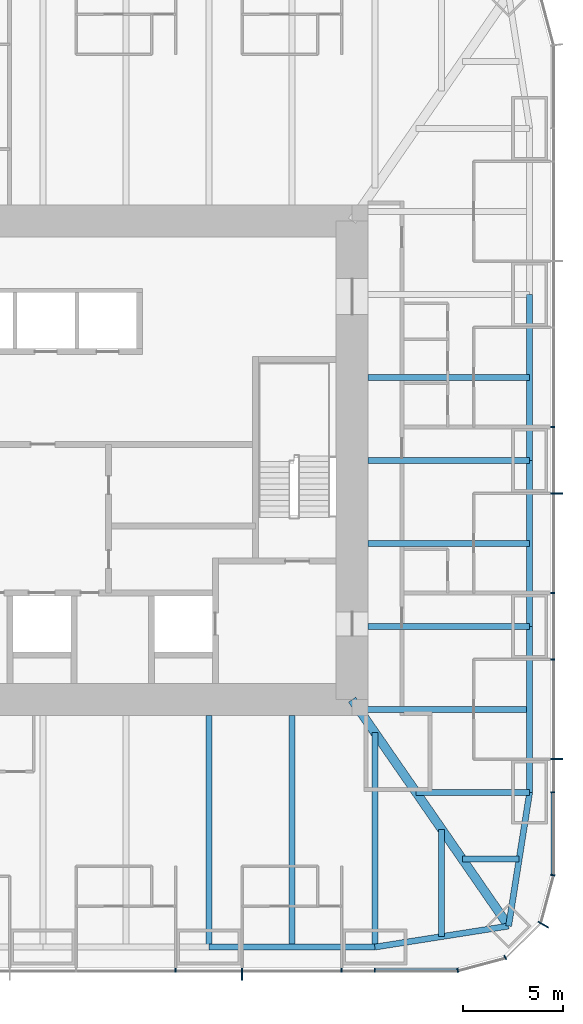
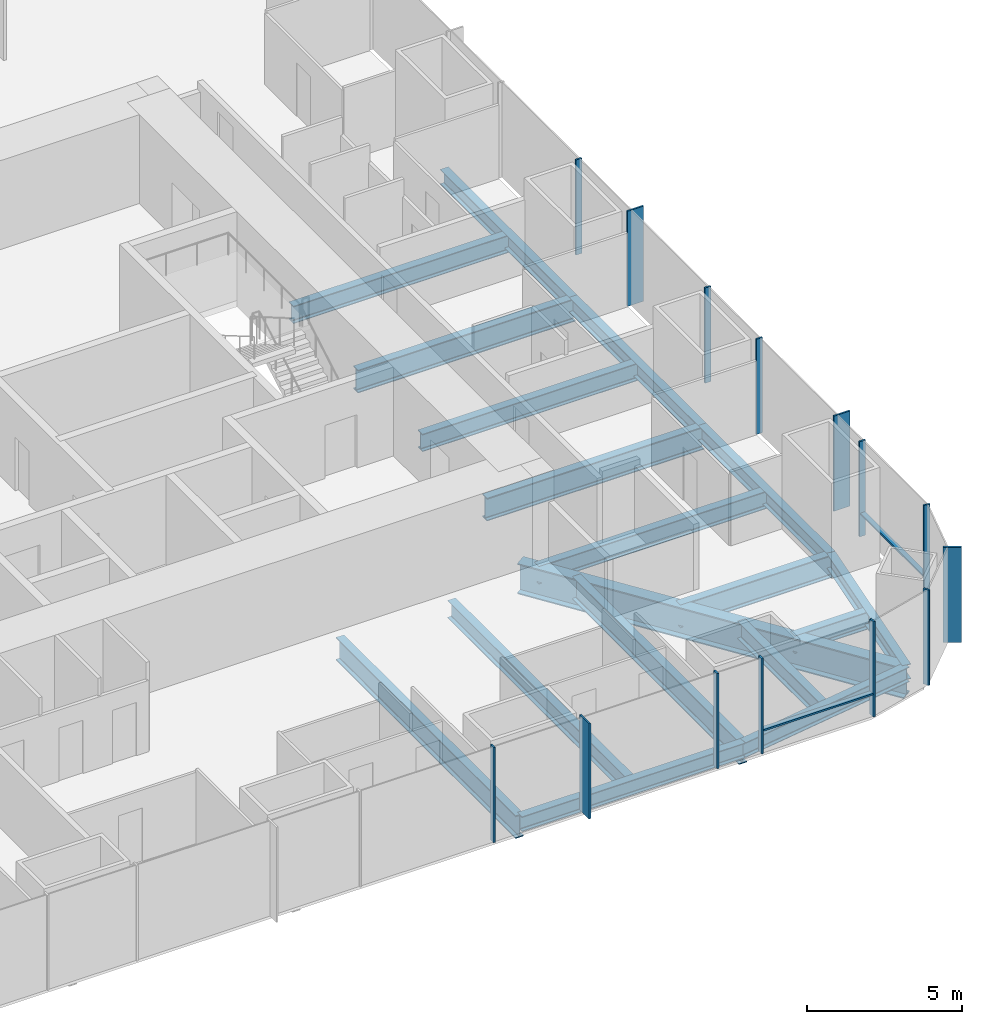
# One storey, part 4 of 13: 18 beams, 16 members, 3 elements without a shape of their own.
"""IFC4 building model written with IfcOpenShell, lengths in metres."""

import ifcopenshell
import ifcopenshell.guid

model = None  # the IFC model being written
_history = None  # IfcOwnerHistory: only IFC2X3 demands one
_inside = {}  # id of a spatial element -> (the spatial element, [elements in it])
_under = {}  # id of a project, library or spatial element -> (it, [spatial elements below it])
_declared = {}  # id of a project -> (the project, [libraries it declares])
_typed = {}  # id of a type object -> (the type object, [elements of that type])
_made_of = {}  # id of a material, layer set ... -> (it, [elements and type objects made of it])


def new_model(schema):
    """Start an empty IFC model of exactly this schema.

    Asked for "IFC4X3", IfcOpenShell would pick the latest addendum, in which some entities
    have other attributes; the version numbers below select the first issue.
    IFC2X3 requires an IfcOwnerHistory on every rooted entity: one is made here for all.
    """
    global model, _history
    if schema == "IFC4X3":
        model = ifcopenshell.file(schema_version=(4, 3, 0, 0))
    else:
        model = ifcopenshell.file(schema=schema)
    _inside.clear()
    _under.clear()
    _declared.clear()
    _typed.clear()
    _made_of.clear()
    _history = None
    if model.schema == "IFC2X3":
        org = make("IfcOrganization", Name="unknown")
        user = make(
            "IfcPersonAndOrganization",
            ThePerson=make("IfcPerson", FamilyName="unknown"),
            TheOrganization=org,
        )
        app = make(
            "IfcApplication",
            ApplicationDeveloper=org,
            Version="unknown",
            ApplicationFullName="unknown",
            ApplicationIdentifier="unknown",
        )
        _history = make(
            "IfcOwnerHistory",
            OwningUser=user,
            OwningApplication=app,
            ChangeAction="ADDED",
            CreationDate=0,
        )
    return model


def make(cls, **values):
    """One entity of the class cls with the attributes given. An attribute that is None is left unset."""
    return model.create_entity(
        cls, **{name: value for name, value in values.items() if value is not None}
    )


def rooted(cls, **values):
    """An entity with a GlobalId (a new one), such as an element, a storey or a relation."""
    return make(cls, GlobalId=ifcopenshell.guid.new(), OwnerHistory=_history, **values)


def si_unit(unit_type, name, prefix=None):
    """IfcSIUnit, for example si_unit("LENGTHUNIT", "METRE", prefix="MILLI")."""
    return make("IfcSIUnit", UnitType=unit_type, Prefix=prefix, Name=name)


def assignment(units):
    """IfcUnitAssignment: the units of a project."""
    return None if units is None else make("IfcUnitAssignment", Units=units)


def point(xyz):
    """IfcCartesianPoint."""
    return None if xyz is None else make("IfcCartesianPoint", Coordinates=xyz)


def direction(xyz):
    """IfcDirection."""
    return None if xyz is None else make("IfcDirection", DirectionRatios=xyz)


def frame(location, z_axis=None, x_axis=None):
    """IfcAxis2Placement3D, a coordinate frame: its origin and axes. An axis left out is left unset."""
    return make(
        "IfcAxis2Placement3D",
        Location=point(location),
        Axis=direction(z_axis),
        RefDirection=direction(x_axis),
    )


def frame_2d(location, x_axis=None):
    """IfcAxis2Placement2D, a coordinate frame in the plane: its origin and x axis."""
    return make(
        "IfcAxis2Placement2D", Location=point(location), RefDirection=direction(x_axis)
    )


def origin():
    """The frame at (0, 0, 0) with its axes left unset."""
    return frame((0.0, 0.0, 0.0))


def origin_2d():
    """The frame at (0, 0) in the plane with its x axis left unset."""
    return frame_2d((0.0, 0.0))


def place(relative_to, where):
    """IfcLocalPlacement: puts the frame where relative to a parent placement (None: the world)."""
    return make(
        "IfcLocalPlacement", PlacementRelTo=relative_to, RelativePlacement=where
    )


def context(
    kind, dimensions, precision=None, world=None, true_north=None, identifier=None
):
    """IfcGeometricRepresentationContext, for example the 3D "Model" context."""
    return make(
        "IfcGeometricRepresentationContext",
        ContextIdentifier=identifier,
        ContextType=kind,
        CoordinateSpaceDimension=dimensions,
        Precision=precision,
        WorldCoordinateSystem=world,
        TrueNorth=true_north,
    )


def subcontext(parent, identifier, kind, view, scale=None):
    """IfcGeometricRepresentationSubContext, for example "Body" below "Model"."""
    return make(
        "IfcGeometricRepresentationSubContext",
        ContextIdentifier=identifier,
        ContextType=kind,
        ParentContext=parent,
        TargetScale=scale,
        TargetView=view,
    )


def project(units=None, contexts=None):
    """IfcProject with its units and contexts."""
    return rooted(
        "IfcProject",
        Name="project",
        RepresentationContexts=contexts,
        UnitsInContext=assignment(units),
    )


def spatial(cls, under=None, at=None, **own):
    """A site, building, storey or space (cls), placed at a placement, below another one or the project."""
    s = rooted(cls, ObjectPlacement=at, **own)
    if under is not None:
        _under.setdefault(under.id(), (under, []))[1].append(s)
    return s


def profile(cls, at=None, kind="AREA", **sizes):
    """A parametric profile (cls). Its sizes go by their IFC names, for example OverallWidth=200.0."""
    return make(cls, ProfileType=kind, Position=at, **sizes)


def rectangle(**sizes):
    """IfcRectangleProfileDef."""
    return profile("IfcRectangleProfileDef", **sizes)


def i_section(**sizes):
    """IfcIShapeProfileDef."""
    return profile("IfcIShapeProfileDef", **sizes)


def extrude(swept, where, along, depth):
    """IfcExtrudedAreaSolid: the profile swept, set in the frame where, extruded along a direction by depth."""
    return make(
        "IfcExtrudedAreaSolid",
        SweptArea=swept,
        Position=where,
        ExtrudedDirection=direction(along),
        Depth=depth,
    )


def shape(context_of_items, identifier, shape_type, items):
    """IfcShapeRepresentation: the items that make up one representation, for example the "Body"."""
    return make(
        "IfcShapeRepresentation",
        ContextOfItems=context_of_items,
        RepresentationIdentifier=identifier,
        RepresentationType=shape_type,
        Items=items,
    )


def material(Name=None, Category=None):
    """IfcMaterial."""
    return make("IfcMaterial", Name=Name, Category=Category)


def material_profile(
    of_material, cross_section, Name=None, Category=None, Priority=None
):
    """IfcMaterialProfile: a cross section and its material."""
    return make(
        "IfcMaterialProfile",
        Name=Name,
        Material=of_material,
        Profile=cross_section,
        Priority=Priority,
        Category=Category,
    )


def profile_set(profiles, Name=None, composite=None):
    """IfcMaterialProfileSet."""
    return make(
        "IfcMaterialProfileSet",
        Name=Name,
        MaterialProfiles=profiles,
        CompositeProfile=composite,
    )


def made_of(thing, what):
    """Note that an element or type object is made of a material, layer set ...; save() writes the relation."""
    if what is not None:
        _made_of.setdefault(what.id(), (what, []))[1].append(thing)
    return thing


def type_object(cls, material=None, **own):
    """A type object (cls), such as IfcWallType, which elements share."""
    return made_of(rooted(cls, **own), material)


def element(
    cls,
    number,
    at=None,
    inside=None,
    cuts=None,
    type_object=None,
    material=None,
    context=None,
    identifier="Body",
    shape_type=None,
    held_by="IfcProductDefinitionShape",
    body=None,
    shapes=None,
    **own,
):
    """One element of the class cls, such as IfcWall. Its Tag is "e" and its number.

    at: its placement. inside: the storey or other place that contains it. cuts: it is an
    opening in that element (IfcRelVoidsElement). A single representation is given by context,
    identifier, shape_type and body (its items); several are given by shapes. held_by: the class
    of the entity that holds the representations. save() writes the other relations.
    """
    e = rooted(cls, Tag="e%d" % number, ObjectPlacement=at, **own)
    if body is not None:
        shapes = [shape(context, identifier, shape_type, body)]
    if shapes is not None:
        e.Representation = make(held_by, Representations=shapes)
    if inside is not None:
        _inside.setdefault(inside.id(), (inside, []))[1].append(e)
    if cuts is not None:
        rooted(
            "IfcRelVoidsElement", RelatingBuildingElement=cuts, RelatedOpeningElement=e
        )
    if type_object is not None:
        _typed.setdefault(type_object.id(), (type_object, []))[1].append(e)
    return made_of(e, material)


def aggregate(whole, parts):
    """IfcRelAggregates: a whole, such as a stair, and the parts it consists of."""
    return rooted("IfcRelAggregates", RelatingObject=whole, RelatedObjects=parts)


def save(model, path):
    """Write the relations noted so far, then the file.

    IfcRelAggregates (storeys below a building ...), IfcRelContainedInSpatialStructure (elements
    in a storey), IfcRelDefinesByType, IfcRelAssociatesMaterial and IfcRelDeclares: one each for
    every whole, place, type object, material and project.
    """
    for whole, parts in _under.values():
        aggregate(whole, parts)
    for where, things in _inside.values():
        rooted(
            "IfcRelContainedInSpatialStructure",
            RelatedElements=things,
            RelatingStructure=where,
        )
    for kind, things in _typed.values():
        rooted("IfcRelDefinesByType", RelatedObjects=things, RelatingType=kind)
    for what, things in _made_of.values():
        rooted("IfcRelAssociatesMaterial", RelatedObjects=things, RelatingMaterial=what)
    for by, libraries in _declared.values():
        rooted("IfcRelDeclares", RelatingContext=by, RelatedDefinitions=libraries)
    model.write(path)


model = new_model("IFC4")

# Units and contexts
model_context = context("Model", 3, precision=1e-05, world=origin(), true_north=direction((0.0, 1.0)))
body_context = subcontext(model_context, "Body", "Model", "MODEL_VIEW")
ifc_project = project(units=[si_unit("LENGTHUNIT", "METRE"), si_unit("AREAUNIT", "SQUARE_METRE"), si_unit("VOLUMEUNIT", "CUBIC_METRE"), si_unit("PLANEANGLEUNIT", "RADIAN"), si_unit("MASSUNIT", "GRAM", prefix="KILO")], contexts=[model_context])

# Site, building, storey
site_placement = place(None, origin())
site = spatial("IfcSite", under=ifc_project, at=site_placement, CompositionType="ELEMENT")
building_placement = place(site_placement, origin())
building = spatial("IfcBuilding", under=site, at=building_placement, Name="Khuree Lantern Residences", CompositionType="ELEMENT")
storey_placement = place(building_placement, frame((0.0, 0.0, 267.0)))
storey = spatial("IfcBuildingStorey", under=building, at=storey_placement, Name="L67", CompositionType="ELEMENT", Elevation=267.0)

# Beams
ifc_material_1 = material(Name="Steel S355", Category="steel")
ifc_material_profile_1 = material_profile(ifc_material_1, i_section(OverallWidth=0.300048828125, OverallDepth=0.68994140625, WebThickness=0.014404296875, FlangeThickness=0.027099609375, FilletRadius=0.027099609375, at=origin_2d()), Name="HE 700 A")
ifc_profile_set_1 = profile_set([ifc_material_profile_1], Name="Steel S355")
beam_type_1 = type_object("IfcBeamType", Name="B-35 SECONDARY BEAM HE 700 A", PredefinedType="BEAM", material=ifc_profile_set_1)
for number, where, z_axis, x_axis, name in (
    (1, (24.39990234375, 4.159912109375, -0.594970703125), (-1.0, 0.0, 0.0), (0.0, -1.0, 0.0), "Secondary beam E3"),
    (2, (24.39990234375, -4.159912109375, -0.594970703125), (-1.0, 0.0, 0.0), (0.0, -1.0, 0.0), "Secondary beam E4"),
):
    element("IfcBeam", number, at=place(storey_placement, frame(where, z_axis=z_axis, x_axis=x_axis)), inside=storey, type_object=beam_type_1, Name=name, PredefinedType="BEAM", context=body_context, shape_type="SweptSolid", body=[
        extrude(i_section(OverallWidth=0.300048828125, OverallDepth=0.68994140625, WebThickness=0.014404296875, FlangeThickness=0.027099609375, FilletRadius=0.027099609375, at=origin_2d()), origin(), (0.0, 0.0, 1.0), 8.099853515625),
    ])
beam_1_placement = place(storey_placement, frame((24.39990234375, -12.47998046875, -0.594970703125), z_axis=(-1.0, 0.0, 0.0), x_axis=(0.0, -1.0, 0.0)))
element("IfcBeam", 3, at=beam_1_placement, inside=storey, type_object=beam_type_1, Name="Secondary beam E5", PredefinedType="BEAM", context=body_context, shape_type="SweptSolid", body=[
    extrude(i_section(OverallWidth=0.300048828125, OverallDepth=0.68994140625, WebThickness=0.014404296875, FlangeThickness=0.027099609375, FilletRadius=0.027099609375, at=origin_2d()), origin(), (0.0, 0.0, 1.0), 8.56787109375),
])
beam_2_placement = place(storey_placement, frame((23.872802734375, -19.992919921875, -0.594970703125), z_axis=(-1.0, 0.0, 0.0), x_axis=(0.0, -1.0, 0.0)))
element("IfcBeam", 4, at=beam_2_placement, inside=storey, type_object=beam_type_1, Name="Secondary beam E6", PredefinedType="BEAM", context=body_context, shape_type="SweptSolid", body=[
    extrude(i_section(OverallWidth=0.300048828125, OverallDepth=0.68994140625, WebThickness=0.014404296875, FlangeThickness=0.027099609375, FilletRadius=0.027099609375, at=origin_2d()), origin(), (0.0, 0.0, 1.0), 2.845703125),
])
beam_3_placement = place(storey_placement, frame((19.992919921875, -23.872802734375, -0.594970703125), z_axis=(0.0, 1.0, 0.0), x_axis=(-1.0, 0.0, 0.0)))
element("IfcBeam", 5, at=beam_3_placement, inside=storey, type_object=beam_type_1, Name="Secondary beam S1", PredefinedType="BEAM", context=body_context, shape_type="SweptSolid", body=[
    extrude(i_section(OverallWidth=0.300048828125, OverallDepth=0.68994140625, WebThickness=0.014404296875, FlangeThickness=0.027099609375, FilletRadius=0.027099609375, at=origin_2d()), origin(), (0.0, 0.0, 1.0), 5.375732421875),
])
beam_4_placement = place(storey_placement, frame((12.47998046875, -24.39990234375, -0.594970703125), z_axis=(0.0, 1.0, 0.0), x_axis=(-1.0, 0.0, 0.0)))
element("IfcBeam", 6, at=beam_4_placement, inside=storey, type_object=beam_type_1, Name="Secondary beam S2", PredefinedType="BEAM", context=body_context, shape_type="SweptSolid", body=[
    extrude(i_section(OverallWidth=0.300048828125, OverallDepth=0.68994140625, WebThickness=0.014404296875, FlangeThickness=0.027099609375, FilletRadius=0.027099609375, at=origin_2d()), origin(), (0.0, 0.0, 1.0), 11.599853515625),
])
ifc_material_profile_2 = material_profile(ifc_material_1, i_section(OverallWidth=0.300048828125, OverallDepth=0.590087890625, WebThickness=0.012939453125, FlangeThickness=0.02490234375, FilletRadius=0.027099609375, at=origin_2d()), Name="HE 600 A")
ifc_profile_set_2 = profile_set([ifc_material_profile_2], Name="Steel S355")
beam_type_2 = type_object("IfcBeamType", Name="E-35 SPANDREL BEAM HE 600 A", PredefinedType="SPANDREL", material=ifc_profile_set_2)
for number, where, z_axis, x_axis, name in (
    (7, (24.39990234375, 8.320068359375, -0.544921875), (0.0, -1.0, 0.0), (1.0, 0.0, 0.0), "Spandrel beam E3"),
    (8, (24.39990234375, 0.0, -0.544921875), (0.0, -1.0, 0.0), (1.0, 0.0, 0.0), "Spandrel beam E4"),
):
    element("IfcBeam", number, at=place(storey_placement, frame(where, z_axis=z_axis, x_axis=x_axis)), inside=storey, type_object=beam_type_2, Name=name, PredefinedType="SPANDREL", context=body_context, shape_type="SweptSolid", body=[
        extrude(i_section(OverallWidth=0.300048828125, OverallDepth=0.590087890625, WebThickness=0.012939453125, FlangeThickness=0.02490234375, FilletRadius=0.027099609375, at=origin_2d()), origin(), (0.0, 0.0, 1.0), 8.320068359375),
    ])
beam_5_placement = place(storey_placement, frame((24.39990234375, -8.320068359375, -0.544921875), z_axis=(0.0, -1.0, 0.0), x_axis=(1.0, 0.0, 0.0)))
element("IfcBeam", 9, at=beam_5_placement, inside=storey, type_object=beam_type_2, Name="Spandrel beam E5", PredefinedType="SPANDREL", context=body_context, shape_type="SweptSolid", body=[
    extrude(i_section(OverallWidth=0.300048828125, OverallDepth=0.590087890625, WebThickness=0.012939453125, FlangeThickness=0.02490234375, FilletRadius=0.027099609375, at=origin_2d()), origin(), (0.0, 0.0, 1.0), 8.31982421875),
])
for number, where, z_axis, x_axis, name in (
    (10, (24.39990234375, -16.639892578125, -0.544921875), (-0.155299507442, -0.98786743189, 0.0), (0.98786743189, -0.155299507442, 0.0), "Spandrel beam E6"),
    (11, (23.345703125, -23.345703125, -0.544921875), (-0.98786743189, -0.155299507442, 0.0), (0.155299507442, -0.98786743189, 0.0), "Spandrel beam S1"),
):
    element("IfcBeam", number, at=place(storey_placement, frame(where, z_axis=z_axis, x_axis=x_axis)), inside=storey, type_object=beam_type_2, Name=name, PredefinedType="SPANDREL", context=body_context, shape_type="SweptSolid", body=[
        extrude(i_section(OverallWidth=0.300048828125, OverallDepth=0.590087890625, WebThickness=0.012939453125, FlangeThickness=0.02490234375, FilletRadius=0.027099609375, at=origin_2d()), origin(), (0.0, 0.0, 1.0), 6.7880859375),
    ])
beam_6_placement = place(storey_placement, frame((16.639892578125, -24.39990234375, -0.544921875), z_axis=(-1.0, 0.0, 0.0), x_axis=(0.0, -1.0, 0.0)))
element("IfcBeam", 12, at=beam_6_placement, inside=storey, type_object=beam_type_2, Name="Spandrel beam S2", PredefinedType="SPANDREL", context=body_context, shape_type="SweptSolid", body=[
    extrude(i_section(OverallWidth=0.300048828125, OverallDepth=0.590087890625, WebThickness=0.012939453125, FlangeThickness=0.02490234375, FilletRadius=0.027099609375, at=origin_2d()), origin(), (0.0, 0.0, 1.0), 8.31982421875),
])

# Curtain wall, member
ifc_material_2 = material(Name="Bronze anodised aluminium", Category="aluminium")
curtain_wall_type_1 = type_object("IfcCurtainWallType", Name="CW-T2 TOWER CORNER CURTAIN WALL", PredefinedType="USERDEFINED", material=ifc_material_2)
curtain_wall_1_placement = place(storey_placement, origin())
curtain_wall_1 = element("IfcCurtainWall", 13, at=curtain_wall_1_placement, inside=storey, type_object=curtain_wall_type_1, Name="L67 SOUTH-EAST CORNER CURTAIN WALL", ObjectType="Faceted corner curtain wall", PredefinedType="USERDEFINED")
ifc_material_profile_3 = material_profile(ifc_material_2, rectangle(XDim=0.06494140625, YDim=0.60009765625, at=origin_2d()), Name="F1 65X600")
ifc_profile_set_3 = profile_set([ifc_material_profile_3], Name="Bronze anodised aluminium")
member_type_1 = type_object("IfcMemberType", Name="F1 BRONZE FIN MULLION TOWER 65X600", PredefinedType="MULLION", material=ifc_profile_set_3)
member_1_placement = place(storey_placement, frame((25.0869140625, -23.27490234375, 0.0), z_axis=(0.0, 0.0, 1.0), x_axis=(0.499999989586, 0.866025409797, 0.0)))
member_1 = element("IfcMember", 14, at=member_1_placement, type_object=member_type_1, Name="L67 SOUTH-EAST CORNER FIN MULLION 3", PredefinedType="MULLION", context=body_context, shape_type="SweptSolid", body=[
    extrude(rectangle(XDim=0.06494140625, YDim=0.60009765625, at=origin_2d()), origin(), (0.0, 0.0, 1.0), 3.75),
])

# Curtain wall, members
curtain_wall_type_2 = type_object("IfcCurtainWallType", Name="CW-T1 TOWER FACE CURTAIN WALL", PredefinedType="USERDEFINED", material=ifc_material_2)
curtain_wall_2_placement = place(storey_placement, origin())
curtain_wall_2 = element("IfcCurtainWall", 15, at=curtain_wall_2_placement, inside=storey, type_object=curtain_wall_type_2, Name="L67 EAST FACE CURTAIN WALL", ObjectType="Stick-built curtain wall", PredefinedType="USERDEFINED")
member_2_placement = place(storey_placement, frame((25.75, -14.97607421875, 0.0), z_axis=(0.0, 0.0, 1.0), x_axis=(0.0, 1.0, 0.0)))
member_2 = element("IfcMember", 16, at=member_2_placement, type_object=member_type_1, Name="L67 EAST FACE FIN MULLION 6", PredefinedType="MULLION", context=body_context, shape_type="SweptSolid", body=[
    extrude(rectangle(XDim=0.06494140625, YDim=0.60009765625, at=origin_2d()), origin(), (0.0, 0.0, 1.0), 3.75),
])
member_3_placement = place(storey_placement, frame((25.75, -1.6640625, 0.0), z_axis=(0.0, 0.0, 1.0), x_axis=(0.0, 1.0, 0.0)))
member_3 = element("IfcMember", 17, at=member_3_placement, type_object=member_type_1, Name="L67 EAST FACE FIN MULLION 9", PredefinedType="MULLION", context=body_context, shape_type="SweptSolid", body=[
    extrude(rectangle(XDim=0.06494140625, YDim=0.60009765625, at=origin_2d()), origin(), (0.0, 0.0, 1.0), 3.75),
])

# Curtain wall, member
curtain_wall_3_placement = place(storey_placement, origin())
curtain_wall_3 = element("IfcCurtainWall", 18, at=curtain_wall_3_placement, inside=storey, type_object=curtain_wall_type_2, Name="L67 SOUTH FACE CURTAIN WALL", ObjectType="Stick-built curtain wall", PredefinedType="USERDEFINED")
member_4_placement = place(storey_placement, frame((9.98388671875, -25.75, 0.0), z_axis=(0.0, 0.0, 1.0), x_axis=(1.0, 0.0, 0.0)))
member_4 = element("IfcMember", 19, at=member_4_placement, type_object=member_type_1, Name="L67 SOUTH FACE FIN MULLION 54", PredefinedType="MULLION", context=body_context, shape_type="SweptSolid", body=[
    extrude(rectangle(XDim=0.06494140625, YDim=0.60009765625, at=origin_2d()), origin(), (0.0, 0.0, 1.0), 3.75),
])

# Beams
ifc_material_profile_4 = material_profile(ifc_material_1, i_section(OverallWidth=0.300048828125, OverallDepth=0.89990234375, WebThickness=0.0185546875, FlangeThickness=0.034912109375, FilletRadius=0.030029296875, at=origin_2d()), Name="HE 900 B")
ifc_profile_set_4 = profile_set([ifc_material_profile_4], Name="Steel S355")
beam_type_3 = type_object("IfcBeamType", Name="G-35 GIRDER HE 900 B", PredefinedType="BEAM", material=ifc_profile_set_4)
for number, where, z_axis, x_axis, name in (
    (20, (24.39990234375, 0.0, -0.699951171875), (-1.0, 0.0, 0.0), (0.0, -1.0, 0.0), "Girder E3"),
    (21, (24.39990234375, -8.320068359375, -0.699951171875), (-1.0, 0.0, 0.0), (0.0, -1.0, 0.0), "Girder E4"),
):
    element("IfcBeam", number, at=place(storey_placement, frame(where, z_axis=z_axis, x_axis=x_axis)), inside=storey, type_object=beam_type_3, Name=name, PredefinedType="BEAM", context=body_context, shape_type="SweptSolid", body=[
        extrude(i_section(OverallWidth=0.300048828125, OverallDepth=0.89990234375, WebThickness=0.0185546875, FlangeThickness=0.034912109375, FilletRadius=0.030029296875, at=origin_2d()), origin(), (0.0, 0.0, 1.0), 8.099853515625),
    ])
beam_7_placement = place(storey_placement, frame((24.39990234375, -16.639892578125, -0.699951171875), z_axis=(-1.0, 0.0, 0.0), x_axis=(0.0, -1.0, 0.0)))
element("IfcBeam", 22, at=beam_7_placement, inside=storey, type_object=beam_type_3, Name="Girder E5", PredefinedType="BEAM", context=body_context, shape_type="SweptSolid", body=[
    extrude(i_section(OverallWidth=0.300048828125, OverallDepth=0.89990234375, WebThickness=0.0185546875, FlangeThickness=0.034912109375, FilletRadius=0.030029296875, at=origin_2d()), origin(), (0.0, 0.0, 1.0), 5.69140625),
])
beam_8_placement = place(storey_placement, frame((16.639892578125, -24.39990234375, -0.699951171875), z_axis=(0.0, 1.0, 0.0), x_axis=(-1.0, 0.0, 0.0)))
element("IfcBeam", 23, at=beam_8_placement, inside=storey, type_object=beam_type_3, Name="Girder S1", PredefinedType="BEAM", context=body_context, shape_type="SweptSolid", body=[
    extrude(i_section(OverallWidth=0.300048828125, OverallDepth=0.89990234375, WebThickness=0.0185546875, FlangeThickness=0.034912109375, FilletRadius=0.030029296875, at=origin_2d()), origin(), (0.0, 0.0, 1.0), 10.751220703125),
])
beam_9_placement = place(storey_placement, frame((8.320068359375, -24.39990234375, -0.699951171875), z_axis=(0.0, 1.0, 0.0), x_axis=(-1.0, 0.0, 0.0)))
element("IfcBeam", 24, at=beam_9_placement, inside=storey, type_object=beam_type_3, Name="Girder S2", PredefinedType="BEAM", context=body_context, shape_type="SweptSolid", body=[
    extrude(i_section(OverallWidth=0.300048828125, OverallDepth=0.89990234375, WebThickness=0.0185546875, FlangeThickness=0.034912109375, FilletRadius=0.030029296875, at=origin_2d()), origin(), (0.0, 0.0, 1.0), 11.599853515625),
])
ifc_material_profile_5 = material_profile(ifc_material_1, i_section(OverallWidth=0.449951171875, OverallDepth=1.199951171875, WebThickness=0.02490234375, FlangeThickness=0.044921875, at=origin_2d()), Name="WELDED I 1200X450X25X45")
ifc_profile_set_5 = profile_set([ifc_material_profile_5], Name="Steel S355")
beam_type_4 = type_object("IfcBeamType", Name="GD-35 CORNER GIRDER WELDED I 1200X450X25X45", PredefinedType="BEAM", material=ifc_profile_set_5)
beam_10_placement = place(storey_placement, frame((23.345703125, -23.345703125, -0.85009765625), z_axis=(-0.56876813501, 0.822497907959, 0.0), x_axis=(-0.822497907959, -0.56876813501, 0.0)))
element("IfcBeam", 25, at=beam_10_placement, inside=storey, type_object=beam_type_4, Name="Corner girder SE", PredefinedType="BEAM", context=body_context, shape_type="SweptSolid", body=[
    extrude(i_section(OverallWidth=0.449951171875, OverallDepth=1.199951171875, WebThickness=0.02490234375, FlangeThickness=0.044921875, at=origin_2d()), origin(), (0.0, 0.0, 1.0), 13.794189453125),
])

# Member
ifc_material_profile_6 = material_profile(ifc_material_2, rectangle(XDim=0.06494140625, YDim=0.219970703125, at=origin_2d()), Name="M1 65X220")
ifc_profile_set_6 = profile_set([ifc_material_profile_6], Name="Bronze anodised aluminium")
member_type_2 = type_object("IfcMemberType", Name="M1 BRONZE MULLION TOWER 65X220", PredefinedType="MULLION", material=ifc_profile_set_6)
member_5_placement = place(storey_placement, frame((20.794921875, -25.561767578125, 0.0), z_axis=(0.0, 0.0, 1.0), x_axis=(0.991444862943, 0.130526180298, 0.0)))
member_5 = element("IfcMember", 26, at=member_5_placement, type_object=member_type_2, Name="L67 SOUTH-EAST CORNER MULLION 1", PredefinedType="MULLION", context=body_context, shape_type="SweptSolid", body=[
    extrude(rectangle(XDim=0.06494140625, YDim=0.219970703125, at=origin_2d()), origin(), (0.0, 0.0, 1.0), 3.75),
])

member_6_placement = place(storey_placement, frame((23.179931640625, -24.92236328125, 0.0), z_axis=(0.0, 0.0, 1.0), x_axis=(0.866025409797, 0.499999989586, 0.0)))
member_6 = element("IfcMember", 27, at=member_6_placement, type_object=member_type_2, Name="L67 SOUTH-EAST CORNER MULLION 2", PredefinedType="MULLION", context=body_context, shape_type="SweptSolid", body=[
    extrude(rectangle(XDim=0.06494140625, YDim=0.219970703125, at=origin_2d()), origin(), (0.0, 0.0, 1.0), 3.75),
])

aggregate(curtain_wall_1, [member_5, member_6, member_1])

member_7_placement = place(storey_placement, frame((25.561767578125, -20.794921875, 0.0), z_axis=(0.0, 0.0, 1.0), x_axis=(0.130526180298, 0.991444862943, 0.0)))
member_7 = element("IfcMember", 28, at=member_7_placement, type_object=member_type_2, Name="L67 EAST FACE MULLION 4", PredefinedType="MULLION", context=body_context, shape_type="SweptSolid", body=[
    extrude(rectangle(XDim=0.06494140625, YDim=0.219970703125, at=origin_2d()), origin(), (0.0, 0.0, 1.0), 3.75),
])

member_8_placement = place(storey_placement, frame((25.56005859375, -16.639892578125, 0.0), z_axis=(0.0, 0.0, 1.0), x_axis=(0.0, 1.0, 0.0)))
member_8 = element("IfcMember", 29, at=member_8_placement, type_object=member_type_2, Name="L67 EAST FACE MULLION 5", PredefinedType="MULLION", context=body_context, shape_type="SweptSolid", body=[
    extrude(rectangle(XDim=0.06494140625, YDim=0.219970703125, at=origin_2d()), origin(), (0.0, 0.0, 1.0), 3.75),
])

member_9_placement = place(storey_placement, frame((25.56005859375, -9.98388671875, 0.0), z_axis=(0.0, 0.0, 1.0), x_axis=(0.0, 1.0, 0.0)))
member_9 = element("IfcMember", 30, at=member_9_placement, type_object=member_type_2, Name="L67 EAST FACE MULLION 7", PredefinedType="MULLION", context=body_context, shape_type="SweptSolid", body=[
    extrude(rectangle(XDim=0.06494140625, YDim=0.219970703125, at=origin_2d()), origin(), (0.0, 0.0, 1.0), 3.75),
])

member_10_placement = place(storey_placement, frame((25.56005859375, -6.656005859375, 0.0), z_axis=(0.0, 0.0, 1.0), x_axis=(0.0, 1.0, 0.0)))
member_10 = element("IfcMember", 31, at=member_10_placement, type_object=member_type_2, Name="L67 EAST FACE MULLION 8", PredefinedType="MULLION", context=body_context, shape_type="SweptSolid", body=[
    extrude(rectangle(XDim=0.06494140625, YDim=0.219970703125, at=origin_2d()), origin(), (0.0, 0.0, 1.0), 3.75),
])

member_11_placement = place(storey_placement, frame((25.56005859375, 1.6640625, 0.0), z_axis=(0.0, 0.0, 1.0), x_axis=(0.0, 1.0, 0.0)))
member_11 = element("IfcMember", 32, at=member_11_placement, type_object=member_type_2, Name="L67 EAST FACE MULLION 10", PredefinedType="MULLION", context=body_context, shape_type="SweptSolid", body=[
    extrude(rectangle(XDim=0.06494140625, YDim=0.219970703125, at=origin_2d()), origin(), (0.0, 0.0, 1.0), 3.75),
])

member_12_placement = place(storey_placement, frame((6.656005859375, -25.56005859375, 0.0), z_axis=(0.0, 0.0, 1.0), x_axis=(1.0, 0.0, 0.0)))
member_12 = element("IfcMember", 33, at=member_12_placement, type_object=member_type_2, Name="L67 SOUTH FACE MULLION 53", PredefinedType="MULLION", context=body_context, shape_type="SweptSolid", body=[
    extrude(rectangle(XDim=0.06494140625, YDim=0.219970703125, at=origin_2d()), origin(), (0.0, 0.0, 1.0), 3.75),
])

member_13_placement = place(storey_placement, frame((14.97607421875, -25.56005859375, 0.0), z_axis=(0.0, 0.0, 1.0), x_axis=(1.0, 0.0, 0.0)))
member_13 = element("IfcMember", 34, at=member_13_placement, type_object=member_type_2, Name="L67 SOUTH FACE MULLION 55", PredefinedType="MULLION", context=body_context, shape_type="SweptSolid", body=[
    extrude(rectangle(XDim=0.06494140625, YDim=0.219970703125, at=origin_2d()), origin(), (0.0, 0.0, 1.0), 3.75),
])

member_14_placement = place(storey_placement, frame((16.639892578125, -25.56005859375, 0.0), z_axis=(0.0, 0.0, 1.0), x_axis=(1.0, 0.0, 0.0)))
member_14 = element("IfcMember", 35, at=member_14_placement, type_object=member_type_2, Name="L67 SOUTH FACE MULLION 56", PredefinedType="MULLION", context=body_context, shape_type="SweptSolid", body=[
    extrude(rectangle(XDim=0.06494140625, YDim=0.219970703125, at=origin_2d()), origin(), (0.0, 0.0, 1.0), 3.75),
])

ifc_material_profile_7 = material_profile(ifc_material_2, rectangle(XDim=0.179931640625, YDim=0.06494140625, at=origin_2d()), Name="T1 180X65")
ifc_profile_set_7 = profile_set([ifc_material_profile_7], Name="Bronze anodised aluminium")
member_type_3 = type_object("IfcMemberType", Name="TRANSOM T1 TOWER 180X65", PredefinedType="USERDEFINED", material=ifc_profile_set_7)
member_15_placement = place(storey_placement, frame((25.570068359375, -20.75146484375, 0.89990234375), z_axis=(0.0, 1.0, 0.0), x_axis=(-1.0, 0.0, 0.0)))
member_15 = element("IfcMember", 36, at=member_15_placement, type_object=member_type_3, Name="L67 EAST FACE TRANSOM 4.1", ObjectType="Transom", PredefinedType="USERDEFINED", context=body_context, shape_type="SweptSolid", body=[
    extrude(rectangle(XDim=0.179931640625, YDim=0.06494140625, at=origin_2d()), origin(), (0.0, 0.0, 1.0), 4.078857421875),
])

aggregate(curtain_wall_2, [member_7, member_8, member_2, member_9, member_10, member_3, member_11, member_15])

member_16_placement = place(storey_placement, frame((16.672607421875, -25.570068359375, 0.89990234375), z_axis=(1.0, 0.0, 0.0), x_axis=(0.0, 1.0, 0.0)))
member_16 = element("IfcMember", 37, at=member_16_placement, type_object=member_type_3, Name="L67 SOUTH FACE TRANSOM 56.1", ObjectType="Transom", PredefinedType="USERDEFINED", context=body_context, shape_type="SweptSolid", body=[
    extrude(rectangle(XDim=0.179931640625, YDim=0.06494140625, at=origin_2d()), origin(), (0.0, 0.0, 1.0), 4.078857421875),
])

aggregate(curtain_wall_3, [member_12, member_4, member_13, member_14, member_16])

save(model, "model.ifc")
